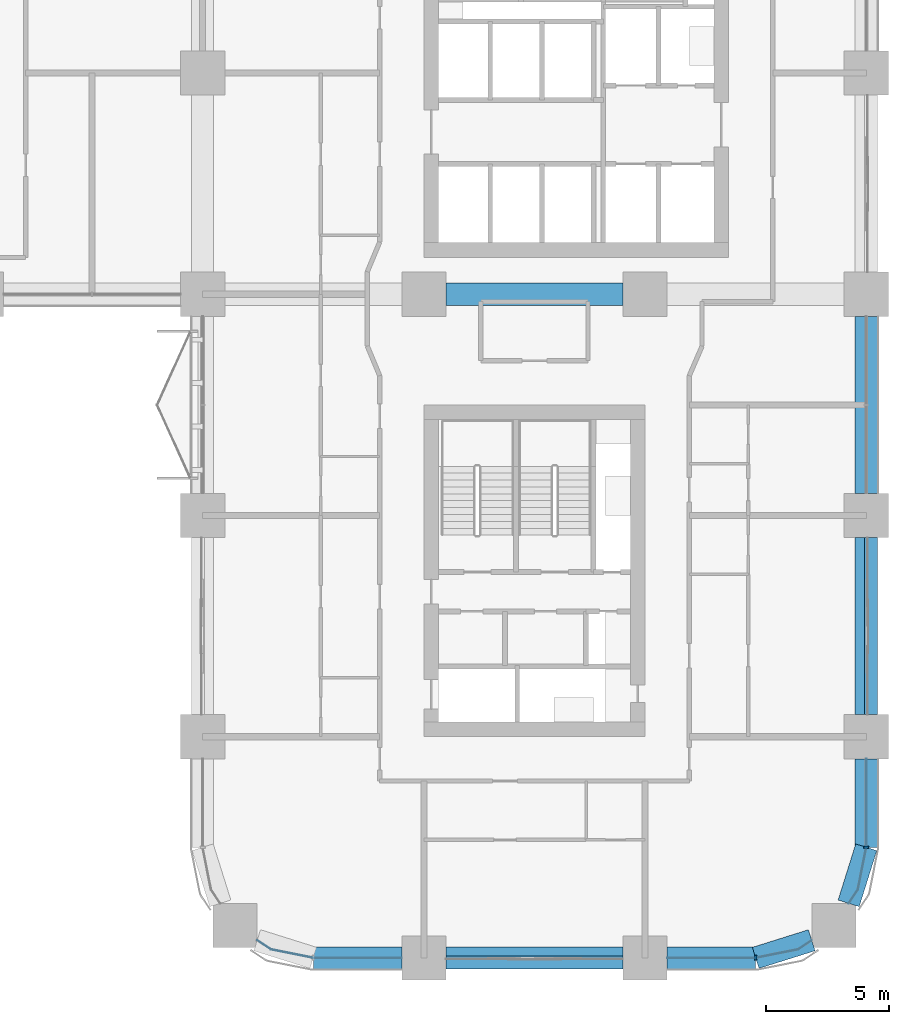
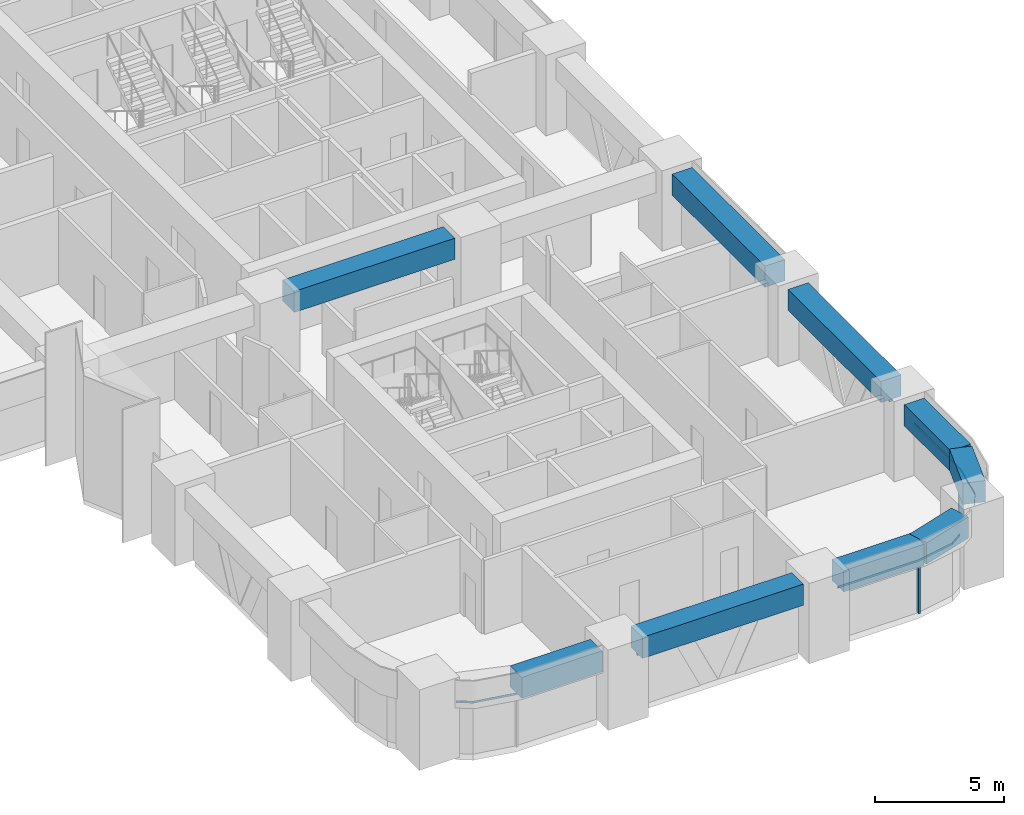
# One storey, part 4 of 18: 9 beams, 7 members, 5 elements without a shape of their own.
"""IFC4 building model written with IfcOpenShell, lengths in metres."""

from ifc_helpers import new_model, si_unit, direction, frame, origin, origin_2d, place, context, subcontext, project, spatial, polyline, rectangle, outline, extrude, material, material_profile, profile_set, type_object, element, aggregate, save


model = new_model("IFC4")

# Units and contexts
model_context = context("Model", 3, precision=1e-05, world=origin(), true_north=direction((0.0, 1.0)))
body_context = subcontext(model_context, "Body", "Model", "MODEL_VIEW")
ifc_project = project(units=[si_unit("LENGTHUNIT", "METRE"), si_unit("AREAUNIT", "SQUARE_METRE"), si_unit("VOLUMEUNIT", "CUBIC_METRE"), si_unit("PLANEANGLEUNIT", "RADIAN"), si_unit("MASSUNIT", "GRAM", prefix="KILO")], contexts=[model_context])

# Site, building, storey
site_placement = place(None, origin())
site = spatial("IfcSite", under=ifc_project, at=site_placement, CompositionType="ELEMENT")
building_placement = place(site_placement, origin())
building = spatial("IfcBuilding", under=site, at=building_placement, Name="Tessera Arch", CompositionType="ELEMENT")
storey_placement = place(building_placement, frame((0.0, 0.0, 100.60009765625)))
storey = spatial("IfcBuildingStorey", under=building, at=storey_placement, Name="L23", CompositionType="ELEMENT", Elevation=100.60009765625)

# Curtain wall, member
ifc_material_1 = material(Name="CW2 curtain wall")
curtain_wall_type_1 = type_object("IfcCurtainWallType", Name="CW2 curtain wall", PredefinedType="NOTDEFINED", material=ifc_material_1)
curtain_wall_1_placement = place(storey_placement, origin())
curtain_wall_1 = element("IfcCurtainWall", 1, at=curtain_wall_1_placement, inside=storey, type_object=curtain_wall_type_1, Name="CW2 curtain wall S0.27/2 L23", PredefinedType="NOTDEFINED")
ifc_material_2 = material(Name="Anodised aluminium pale metal", Category="aluminium")
ifc_material_profile_1 = material_profile(ifc_material_2, rectangle(XDim=0.199951171875, YDim=0.080078125, at=origin_2d()), Name="AL 80x200")
ifc_profile_set_1 = profile_set([ifc_material_profile_1], Name="Anodised aluminium pale metal")
member_type_1 = type_object("IfcMemberType", Name="CW2 mullion", PredefinedType="MULLION", material=ifc_profile_set_1)
member_1_placement = place(storey_placement, frame((49.5, 0.0, 0.0), z_axis=(0.0, 0.0, 1.0), x_axis=(0.0, 1.0, 0.0)))
member_1 = element("IfcMember", 2, at=member_1_placement, type_object=member_type_1, Name="CW2 mullion S0.27/2 1", PredefinedType="MULLION", context=body_context, shape_type="SweptSolid", body=[
    extrude(rectangle(XDim=0.199951171875, YDim=0.080078125, at=origin_2d()), origin(), (0.0, 0.0, 1.0), 2.39990234375),
])

curtain_wall_2_placement = place(storey_placement, origin())
curtain_wall_2 = element("IfcCurtainWall", 3, at=curtain_wall_2_placement, inside=storey, type_object=curtain_wall_type_1, Name="CW2 curtain wall E54.0/0 L23", PredefinedType="NOTDEFINED")
member_2_placement = place(storey_placement, frame((54.0, 4.5, 0.0), z_axis=(0.0, 0.0, 1.0), x_axis=(-1.0, 0.0, 0.0)))
member_2 = element("IfcMember", 4, at=member_2_placement, type_object=member_type_1, Name="CW2 mullion E54.0/0 1", PredefinedType="MULLION", context=body_context, shape_type="SweptSolid", body=[
    extrude(rectangle(XDim=0.199951171875, YDim=0.080078125, at=origin_2d()), origin(), (0.0, 0.0, 1.0), 2.39990234375),
])

curtain_wall_3_placement = place(storey_placement, origin())
curtain_wall_3 = element("IfcCurtainWall", 5, at=curtain_wall_3_placement, inside=storey, type_object=curtain_wall_type_1, Name="CW2 curtain wall S0.27/0 L23", PredefinedType="NOTDEFINED")
ifc_material_3 = material(Name="Anodised aluminium pale metal", Category="aluminium")
ifc_material_profile_2 = material_profile(ifc_material_3, rectangle(XDim=0.199951171875, YDim=0.10009765625, at=origin_2d()), Name="AL 200x100")
ifc_profile_set_2 = profile_set([ifc_material_profile_2], Name="Anodised aluminium pale metal")
member_type_2 = type_object("IfcMemberType", Name="CW2 transom", PredefinedType="USERDEFINED", material=ifc_profile_set_2)
member_3_placement = place(storey_placement, frame((0.0, 0.0, 2.39990234375)))
member_3 = element("IfcMember", 6, at=member_3_placement, type_object=member_type_2, Name="CW2 transom S0.27/0 1", ObjectType="TRANSOM", PredefinedType="USERDEFINED", context=body_context, shape_type="SweptSolid", body=[
    extrude(outline(polyline([(29.78173828125, 0.351806640625), (29.2236328125, 0.72509765625), (29.21240234375, 0.70849609375), (29.77392578125, 0.3330078125), (31.4990234375, -0.010009765625), (35.10009765625, -0.010009765625), (35.10009765625, 0.010009765625), (31.5009765625, 0.010009765625), (29.78173828125, 0.351806640625)])), origin(), (0.0, 0.0, 1.0), 0.10009765625),
])
aggregate(curtain_wall_3, [member_3])

# Member
member_4_placement = place(storey_placement, frame((0.0, 0.0, 2.39990234375)))
member_4 = element("IfcMember", 7, at=member_4_placement, type_object=member_type_2, Name="CW2 transom S0.27/2 1", ObjectType="TRANSOM", PredefinedType="USERDEFINED", context=body_context, shape_type="SweptSolid", body=[
    extrude(outline(polyline([(49.4990234375, 0.010009765625), (45.89990234375, 0.010009765625), (45.89990234375, -0.010009765625), (49.5009765625, -0.010009765625), (51.22607421875, 0.3330078125), (51.78759765625, 0.70849609375), (51.7763671875, 0.72509765625), (51.21826171875, 0.351806640625), (49.4990234375, 0.010009765625)])), origin(), (0.0, 0.0, 1.0), 0.10009765625),
])

aggregate(curtain_wall_1, [member_1, member_4])

member_5_placement = place(storey_placement, frame((0.0, 0.0, 2.39990234375)))
member_5 = element("IfcMember", 8, at=member_5_placement, type_object=member_type_2, Name="CW2 transom E54.0/0 1", ObjectType="TRANSOM", PredefinedType="USERDEFINED", context=body_context, shape_type="SweptSolid", body=[
    extrude(outline(polyline([(53.648193359375, 2.78173828125), (53.27490234375, 2.2236328125), (53.29150390625, 2.21240234375), (53.6669921875, 2.77392578125), (54.010009765625, 4.4990234375), (54.010009765625, 8.10009765625), (53.989990234375, 8.10009765625), (53.989990234375, 4.5009765625), (53.648193359375, 2.78173828125)])), origin(), (0.0, 0.0, 1.0), 0.10009765625),
])

aggregate(curtain_wall_2, [member_2, member_5])

# Curtain wall, member
ifc_material_4 = material(Name="CW3 curtain wall")
curtain_wall_type_2 = type_object("IfcCurtainWallType", Name="CW3 curtain wall", PredefinedType="NOTDEFINED", material=ifc_material_4)
curtain_wall_4_placement = place(storey_placement, origin())
curtain_wall_4 = element("IfcCurtainWall", 9, at=curtain_wall_4_placement, inside=storey, type_object=curtain_wall_type_2, Name="CW3 curtain wall S0.27/1 L23", PredefinedType="NOTDEFINED")
ifc_material_5 = material(Name="Anodised aluminium pale metal", Category="aluminium")
ifc_material_profile_3 = material_profile(ifc_material_5, rectangle(XDim=0.139892578125, YDim=0.10009765625, at=origin_2d()), Name="AL 140x100")
ifc_profile_set_3 = profile_set([ifc_material_profile_3], Name="Anodised aluminium pale metal")
member_type_3 = type_object("IfcMemberType", Name="CW3 transom", PredefinedType="USERDEFINED", material=ifc_profile_set_3)
member_6_placement = place(storey_placement, frame((36.89990234375, 0.0, 2.449951171875), z_axis=(1.0, 0.0, 0.0), x_axis=(0.0, 1.0, 0.0)))
member_6 = element("IfcMember", 10, at=member_6_placement, type_object=member_type_3, Name="CW3 transom S0.27/1 1.1", ObjectType="TRANSOM", PredefinedType="USERDEFINED", context=body_context, shape_type="SweptSolid", body=[
    extrude(rectangle(XDim=0.139892578125, YDim=0.10009765625, at=origin_2d()), origin(), (0.0, 0.0, 1.0), 7.2001953125),
])
aggregate(curtain_wall_4, [member_6])

curtain_wall_5_placement = place(storey_placement, origin())
curtain_wall_5 = element("IfcCurtainWall", 11, at=curtain_wall_5_placement, inside=storey, type_object=curtain_wall_type_2, Name="CW3 curtain wall E54.0/1 L23", PredefinedType="NOTDEFINED")
member_7_placement = place(storey_placement, frame((54.0, 9.89990234375, 2.449951171875), z_axis=(0.0, 1.0, 0.0), x_axis=(-1.0, 0.0, 0.0)))
member_7 = element("IfcMember", 12, at=member_7_placement, type_object=member_type_3, Name="CW3 transom E54.0/1 1.1", ObjectType="TRANSOM", PredefinedType="USERDEFINED", context=body_context, shape_type="SweptSolid", body=[
    extrude(rectangle(XDim=0.139892578125, YDim=0.10009765625, at=origin_2d()), origin(), (0.0, 0.0, 1.0), 7.2001953125),
])
aggregate(curtain_wall_5, [member_7])

# Beams
ifc_material_6 = material(Name="Concrete C80/95", Category="concrete")
ifc_material_profile_4 = material_profile(ifc_material_6, rectangle(XDim=0.89990234375, YDim=1.0, at=origin_2d()), Name="RC spandrel beam 900 x 1000 Concrete C80/95")
ifc_profile_set_4 = profile_set([ifc_material_profile_4], Name="Concrete C80/95")
beam_type = type_object("IfcBeamType", Name="RC spandrel beam 900 x 1000 Concrete C80/95", PredefinedType="BEAM", material=ifc_profile_set_4)
beam_1_placement = place(storey_placement, frame((31.5, 0.0, 3.0), z_axis=(1.0, 0.0, 0.0), x_axis=(0.0, 1.0, 0.0)))
element("IfcBeam", 13, at=beam_1_placement, inside=storey, type_object=beam_type, Name="Spandrel beam L23 S0.27/0.2", PredefinedType="BEAM", context=body_context, shape_type="SweptSolid", body=[
    extrude(rectangle(XDim=0.89990234375, YDim=1.0, at=origin_2d()), origin(), (0.0, 0.0, 1.0), 3.60009765625),
])
beam_2_placement = place(storey_placement, frame((36.89990234375, 0.0, 3.0), z_axis=(1.0, 0.0, 0.0), x_axis=(0.0, 1.0, 0.0)))
element("IfcBeam", 14, at=beam_2_placement, inside=storey, type_object=beam_type, Name="Spandrel beam L23 S0.27/1", PredefinedType="BEAM", context=body_context, shape_type="SweptSolid", body=[
    extrude(rectangle(XDim=0.89990234375, YDim=1.0, at=origin_2d()), origin(), (0.0, 0.0, 1.0), 7.2001953125),
])
beam_3_placement = place(storey_placement, frame((45.89990234375, 0.0, 3.0), z_axis=(1.0, 0.0, 0.0), x_axis=(0.0, 1.0, 0.0)))
element("IfcBeam", 15, at=beam_3_placement, inside=storey, type_object=beam_type, Name="Spandrel beam L23 S0.27/2.1", PredefinedType="BEAM", context=body_context, shape_type="SweptSolid", body=[
    extrude(rectangle(XDim=0.89990234375, YDim=1.0, at=origin_2d()), origin(), (0.0, 0.0, 1.0), 3.60009765625),
])
for number, where, z_axis, x_axis, name in (
    (16, (49.5, 0.0, 3.0), (0.954041251279, 0.299675309057, 0.0), (-0.299675309057, 0.954041251279, 0.0), "Spandrel beam L23 S0.27/2.2"),
    (17, (53.283203125, 2.218017578125, 3.0), (0.299675309057, 0.954041251279, 0.0), (-0.954041251279, 0.299675309057, 0.0), "Spandrel beam L23 E54.0/0.1"),
):
    element("IfcBeam", number, at=place(storey_placement, frame(where, z_axis=z_axis, x_axis=x_axis)), inside=storey, type_object=beam_type, Name=name, PredefinedType="BEAM", context=body_context, shape_type="SweptSolid", body=[
        extrude(rectangle(XDim=0.89990234375, YDim=1.0, at=origin_2d()), origin(), (0.0, 0.0, 1.0), 2.391845703125),
    ])
beam_4_placement = place(storey_placement, frame((54.0, 4.5, 3.0), z_axis=(0.0, 1.0, 0.0), x_axis=(-1.0, 0.0, 0.0)))
element("IfcBeam", 18, at=beam_4_placement, inside=storey, type_object=beam_type, Name="Spandrel beam L23 E54.0/0.2", PredefinedType="BEAM", context=body_context, shape_type="SweptSolid", body=[
    extrude(rectangle(XDim=0.89990234375, YDim=1.0, at=origin_2d()), origin(), (0.0, 0.0, 1.0), 3.60009765625),
])
for number, where, z_axis, x_axis, name in (
    (19, (54.0, 9.89990234375, 3.0), (0.0, 1.0, 0.0), (-1.0, 0.0, 0.0), "Spandrel beam L23 E54.0/1"),
    (20, (54.0, 18.89990234375, 3.0), (0.0, 1.0, 0.0), (-1.0, 0.0, 0.0), "Spandrel beam L23 E54.0/2"),
    (21, (36.89990234375, 27.0, 3.0), (1.0, 0.0, 0.0), (0.0, 1.0, 0.0), "Interface beam L23 I1C5D-C6D"),
):
    element("IfcBeam", number, at=place(storey_placement, frame(where, z_axis=z_axis, x_axis=x_axis)), inside=storey, type_object=beam_type, Name=name, PredefinedType="BEAM", context=body_context, shape_type="SweptSolid", body=[
        extrude(rectangle(XDim=0.89990234375, YDim=1.0, at=origin_2d()), origin(), (0.0, 0.0, 1.0), 7.2001953125),
    ])

save(model, "model.ifc")
